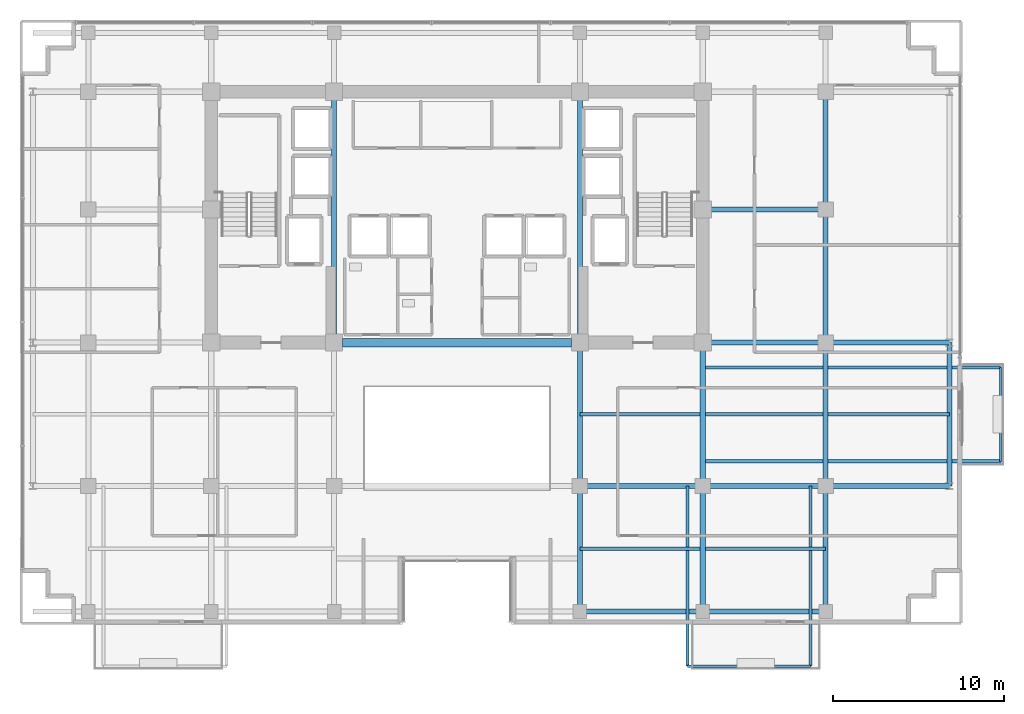
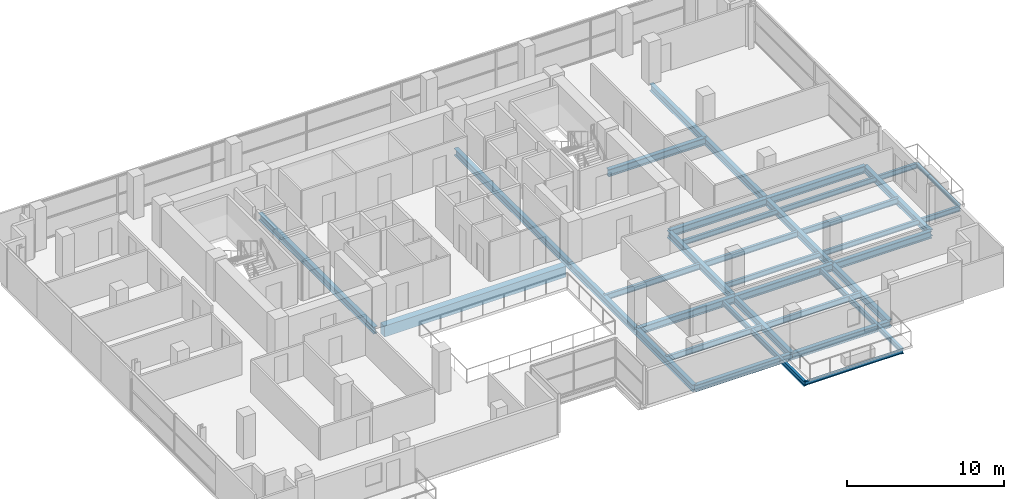
# One storey, part 10 of 24: 31 beams.
"""IFC4 building model written with IfcOpenShell, lengths in metres."""

from ifc_helpers import new_model, si_unit, direction, frame, origin, origin_2d, place, context, subcontext, project, spatial, rectangle, i_section, extrude, material, material_profile, profile_set, type_object, element, save


model = new_model("IFC4")

# Units and contexts
model_context = context("Model", 3, precision=1e-05, world=origin(), true_north=direction((0.0, 1.0)))
body_context = subcontext(model_context, "Body", "Model", "MODEL_VIEW")
ifc_project = project(units=[si_unit("LENGTHUNIT", "METRE"), si_unit("AREAUNIT", "SQUARE_METRE"), si_unit("VOLUMEUNIT", "CUBIC_METRE"), si_unit("PLANEANGLEUNIT", "RADIAN"), si_unit("MASSUNIT", "GRAM", prefix="KILO")], contexts=[model_context])

# Site, building, storey
site_placement = place(None, origin())
site = spatial("IfcSite", under=ifc_project, at=site_placement, CompositionType="ELEMENT")
building_placement = place(site_placement, origin())
building = spatial("IfcBuilding", under=site, at=building_placement, Name="Zarnakvel Exchange Tower", CompositionType="ELEMENT")
storey_placement = place(building_placement, frame((0.0, 0.0, 119.800048828125)))
storey = spatial("IfcBuildingStorey", under=building, at=storey_placement, Name="L33", CompositionType="ELEMENT", Elevation=119.800048828125)

# Beams
ifc_material_1 = material(Name="Steel S355", Category="steel")
ifc_material_profile_1 = material_profile(ifc_material_1, i_section(OverallWidth=0.18994140625, OverallDepth=0.449951171875, WebThickness=0.009521484375, FlangeThickness=0.0146484375, FilletRadius=0.02099609375, at=origin_2d()))
ifc_profile_set_1 = profile_set([ifc_material_profile_1], Name="Steel S355")
beam_type_1 = type_object("IfcBeamType", Name="B-05", PredefinedType="JOIST", material=ifc_profile_set_1)
for number, where, z_axis, x_axis, name in (
    (1, (7.199951171875, -13.27490234375, -0.449951171875), (1.0, 0.0, 0.0), (0.0, 1.0, 0.0), "L33 Composite Floor Secondary Joist"),
    (2, (14.550048828125, -13.27490234375, -0.449951171875), (1.0, 0.0, 0.0), (0.0, 1.0, 0.0), "L33 Composite Floor Secondary Joist"),
    (3, (7.199951171875, -5.39990234375, -0.449951171875), (1.0, 0.0, 0.0), (0.0, 1.0, 0.0), "L33 Composite Floor Secondary Joist"),
):
    element("IfcBeam", number, at=place(storey_placement, frame(where, z_axis=z_axis, x_axis=x_axis)), inside=storey, type_object=beam_type_1, Name=name, PredefinedType="JOIST", context=body_context, shape_type="SweptSolid", body=[
        extrude(i_section(OverallWidth=0.18994140625, OverallDepth=0.449951171875, WebThickness=0.009521484375, FlangeThickness=0.0146484375, FilletRadius=0.02099609375, at=origin_2d()), origin(), (0.0, 0.0, 1.0), 7.050048828125),
    ])
beam_1_placement = place(storey_placement, frame((14.550048828125, -5.39990234375, -0.449951171875), z_axis=(1.0, 0.0, 0.0), x_axis=(0.0, 1.0, 0.0)))
element("IfcBeam", 4, at=beam_1_placement, inside=storey, type_object=beam_type_1, Name="L33 Composite Floor Secondary Joist", PredefinedType="JOIST", context=body_context, shape_type="SweptSolid", body=[
    extrude(i_section(OverallWidth=0.18994140625, OverallDepth=0.449951171875, WebThickness=0.009521484375, FlangeThickness=0.0146484375, FilletRadius=0.02099609375, at=origin_2d()), origin(), (0.0, 0.0, 1.0), 6.89990234375),
])
beam_2_placement = place(storey_placement, frame((21.75, -5.39990234375, -0.449951171875), z_axis=(1.0, 0.0, 0.0), x_axis=(0.0, 1.0, 0.0)))
element("IfcBeam", 5, at=beam_2_placement, inside=storey, type_object=beam_type_1, Name="L33 Composite Floor Secondary Joist", PredefinedType="JOIST", context=body_context, shape_type="SweptSolid", body=[
    extrude(i_section(OverallWidth=0.18994140625, OverallDepth=0.449951171875, WebThickness=0.009521484375, FlangeThickness=0.0146484375, FilletRadius=0.02099609375, at=origin_2d()), origin(), (0.0, 0.0, 1.0), 7.10009765625),
])
ifc_material_profile_2 = material_profile(ifc_material_1, i_section(OverallWidth=0.179931640625, OverallDepth=0.39990234375, WebThickness=0.008544921875, FlangeThickness=0.013427734375, FilletRadius=0.02099609375, at=origin_2d()))
ifc_profile_set_2 = profile_set([ifc_material_profile_2], Name="Steel S355")
beam_type_2 = type_object("IfcBeamType", Name="B-06", PredefinedType="JOIST", material=ifc_profile_set_2)
for number, where, z_axis, x_axis, name in (
    (6, (13.5, -9.60009765625, -0.425048828125), (0.0, -1.0, 0.0), (1.0, 0.0, 0.0), "L33 Continuous Back-Spanned Balcony Beam W"),
    (7, (20.699951171875, -9.60009765625, -0.425048828125), (0.0, -1.0, 0.0), (1.0, 0.0, 0.0), "L33 Continuous Back-Spanned Balcony Beam E"),
):
    element("IfcBeam", number, at=place(storey_placement, frame(where, z_axis=z_axis, x_axis=x_axis)), inside=storey, type_object=beam_type_2, Name=name, PredefinedType="JOIST", context=body_context, shape_type="SweptSolid", body=[
        extrude(i_section(OverallWidth=0.179931640625, OverallDepth=0.39990234375, WebThickness=0.008544921875, FlangeThickness=0.013427734375, FilletRadius=0.02099609375, at=origin_2d()), origin(), (0.0, 0.0, 1.0), 10.5498046875),
    ])
for number, where, z_axis, x_axis, name in (
    (8, (14.39990234375, -8.14990234375, -0.425048828125), (1.0, 0.0, 0.0), (0.0, 1.0, 0.0), "L33 Continuous East Loggia Beam S"),
    (9, (14.39990234375, -2.64990234375, -0.425048828125), (1.0, 0.0, 0.0), (0.0, 1.0, 0.0), "L33 Continuous East Loggia Beam N"),
):
    element("IfcBeam", number, at=place(storey_placement, frame(where, z_axis=z_axis, x_axis=x_axis)), inside=storey, type_object=beam_type_2, Name=name, PredefinedType="JOIST", context=body_context, shape_type="SweptSolid", body=[
        extrude(i_section(OverallWidth=0.179931640625, OverallDepth=0.39990234375, WebThickness=0.008544921875, FlangeThickness=0.013427734375, FilletRadius=0.02099609375, at=origin_2d()), origin(), (0.0, 0.0, 1.0), 17.4501953125),
    ])
ifc_material_profile_3 = material_profile(ifc_material_1, i_section(OverallWidth=0.14990234375, OverallDepth=0.300048828125, WebThickness=0.007080078125, FlangeThickness=0.0107421875, FilletRadius=0.014892578125, at=origin_2d()))
ifc_profile_set_3 = profile_set([ifc_material_profile_3], Name="Steel S355")
beam_type_3 = type_object("IfcBeamType", Name="B-08", PredefinedType="JOIST", material=ifc_profile_set_3)
beam_3_placement = place(storey_placement, frame((13.5, -20.14990234375, -0.375), z_axis=(1.0, 0.0, 0.0), x_axis=(0.0, 1.0, 0.0)))
element("IfcBeam", 10, at=beam_3_placement, inside=storey, type_object=beam_type_3, Name="L33 Balcony Edge Beam", PredefinedType="JOIST", context=body_context, shape_type="SweptSolid", body=[
    extrude(i_section(OverallWidth=0.14990234375, OverallDepth=0.300048828125, WebThickness=0.007080078125, FlangeThickness=0.0107421875, FilletRadius=0.014892578125, at=origin_2d()), origin(), (0.0, 0.0, 1.0), 7.199951171875),
])
beam_4_placement = place(storey_placement, frame((31.85009765625, -8.14990234375, -0.375), z_axis=(0.0, 1.0, 0.0), x_axis=(-1.0, 0.0, 0.0)))
element("IfcBeam", 11, at=beam_4_placement, inside=storey, type_object=beam_type_3, Name="L33 East Loggia Edge Beam", PredefinedType="JOIST", context=body_context, shape_type="SweptSolid", body=[
    extrude(i_section(OverallWidth=0.14990234375, OverallDepth=0.300048828125, WebThickness=0.007080078125, FlangeThickness=0.0107421875, FilletRadius=0.014892578125, at=origin_2d()), origin(), (0.0, 0.0, 1.0), 5.5),
])
ifc_material_2 = material(Name="Concrete C60/75", Category="concrete")
ifc_material_profile_4 = material_profile(ifc_material_2, rectangle(XDim=0.5, YDim=0.85009765625, at=origin_2d()))
ifc_profile_set_4 = profile_set([ifc_material_profile_4], Name="Concrete C60/75")
beam_type_4 = type_object("IfcBeamType", Name="CB-02", PredefinedType="LINTEL", material=ifc_profile_set_4)
beam_5_placement = place(storey_placement, frame((-6.699951171875, -1.199951171875, -0.650146484375), z_axis=(1.0, 0.0, 0.0), x_axis=(0.0, 1.0, 0.0)))
element("IfcBeam", 12, at=beam_5_placement, inside=storey, type_object=beam_type_4, Name="L33 Rear Core South Coupling Beam (CB-02)", PredefinedType="LINTEL", context=body_context, shape_type="SweptSolid", body=[
    extrude(rectangle(XDim=0.5, YDim=0.85009765625, at=origin_2d()), origin(), (0.0, 0.0, 1.0), 13.39990234375),
])
ifc_material_profile_5 = material_profile(ifc_material_1, i_section(OverallWidth=0.300048828125, OverallDepth=0.550048828125, WebThickness=0.014892578125, FlangeThickness=0.029052734375, FilletRadius=0.027099609375, at=origin_2d()))
ifc_profile_set_5 = profile_set([ifc_material_profile_5], Name="Steel S355")
beam_type_5 = type_object("IfcBeamType", Name="G-05", PredefinedType="BEAM", material=ifc_profile_set_5)
beam_6_placement = place(storey_placement, frame((7.199951171875, -9.60009765625, -0.5), z_axis=(1.0, 0.0, 0.0), x_axis=(0.0, 1.0, 0.0)))
element("IfcBeam", 13, at=beam_6_placement, inside=storey, type_object=beam_type_5, Name="L33 Tower E-W Frame Beam", PredefinedType="BEAM", context=body_context, shape_type="SweptSolid", body=[
    extrude(i_section(OverallWidth=0.300048828125, OverallDepth=0.550048828125, WebThickness=0.014892578125, FlangeThickness=0.029052734375, FilletRadius=0.027099609375, at=origin_2d()), origin(), (0.0, 0.0, 1.0), 7.199951171875),
])
beam_7_placement = place(storey_placement, frame((14.39990234375, -9.60009765625, -0.5), z_axis=(1.0, 0.0, 0.0), x_axis=(0.0, 1.0, 0.0)))
element("IfcBeam", 14, at=beam_7_placement, inside=storey, type_object=beam_type_5, Name="L33 Tower E-W Frame Beam", PredefinedType="BEAM", context=body_context, shape_type="SweptSolid", body=[
    extrude(i_section(OverallWidth=0.300048828125, OverallDepth=0.550048828125, WebThickness=0.014892578125, FlangeThickness=0.029052734375, FilletRadius=0.027099609375, at=origin_2d()), origin(), (0.0, 0.0, 1.0), 7.2001953125),
])
beam_8_placement = place(storey_placement, frame((21.60009765625, -9.60009765625, -0.5), z_axis=(1.0, 0.0, 0.0), x_axis=(0.0, 1.0, 0.0)))
element("IfcBeam", 15, at=beam_8_placement, inside=storey, type_object=beam_type_5, Name="L33 Tower E-W Frame Beam", PredefinedType="BEAM", context=body_context, shape_type="SweptSolid", body=[
    extrude(i_section(OverallWidth=0.300048828125, OverallDepth=0.550048828125, WebThickness=0.014892578125, FlangeThickness=0.029052734375, FilletRadius=0.027099609375, at=origin_2d()), origin(), (0.0, 0.0, 1.0), 7.25),
])
beam_9_placement = place(storey_placement, frame((14.39990234375, -1.199951171875, -0.5), z_axis=(1.0, 0.0, 0.0), x_axis=(0.0, 1.0, 0.0)))
element("IfcBeam", 16, at=beam_9_placement, inside=storey, type_object=beam_type_5, Name="L33 Tower E-W Frame Beam", PredefinedType="BEAM", context=body_context, shape_type="SweptSolid", body=[
    extrude(i_section(OverallWidth=0.300048828125, OverallDepth=0.550048828125, WebThickness=0.014892578125, FlangeThickness=0.029052734375, FilletRadius=0.027099609375, at=origin_2d()), origin(), (0.0, 0.0, 1.0), 7.2001953125),
])
beam_10_placement = place(storey_placement, frame((21.60009765625, -1.199951171875, -0.5), z_axis=(1.0, 0.0, 0.0), x_axis=(0.0, 1.0, 0.0)))
element("IfcBeam", 17, at=beam_10_placement, inside=storey, type_object=beam_type_5, Name="L33 Tower E-W Frame Beam", PredefinedType="BEAM", context=body_context, shape_type="SweptSolid", body=[
    extrude(i_section(OverallWidth=0.300048828125, OverallDepth=0.550048828125, WebThickness=0.014892578125, FlangeThickness=0.029052734375, FilletRadius=0.027099609375, at=origin_2d()), origin(), (0.0, 0.0, 1.0), 7.25),
])
beam_11_placement = place(storey_placement, frame((14.39990234375, 6.60009765625, -0.5), z_axis=(1.0, 0.0, 0.0), x_axis=(0.0, 1.0, 0.0)))
element("IfcBeam", 18, at=beam_11_placement, inside=storey, type_object=beam_type_5, Name="L33 Tower E-W Frame Beam", PredefinedType="BEAM", context=body_context, shape_type="SweptSolid", body=[
    extrude(i_section(OverallWidth=0.300048828125, OverallDepth=0.550048828125, WebThickness=0.014892578125, FlangeThickness=0.029052734375, FilletRadius=0.027099609375, at=origin_2d()), origin(), (0.0, 0.0, 1.0), 7.2001953125),
])
beam_12_placement = place(storey_placement, frame((-7.199951171875, -1.199951171875, -0.5), z_axis=(0.0, 1.0, 0.0), x_axis=(-1.0, 0.0, 0.0)))
element("IfcBeam", 19, at=beam_12_placement, inside=storey, type_object=beam_type_5, Name="L33 Tower N-S Frame Beam", PredefinedType="BEAM", context=body_context, shape_type="SweptSolid", body=[
    extrude(i_section(OverallWidth=0.300048828125, OverallDepth=0.550048828125, WebThickness=0.014892578125, FlangeThickness=0.029052734375, FilletRadius=0.027099609375, at=origin_2d()), origin(), (0.0, 0.0, 1.0), 14.699951171875),
])
beam_13_placement = place(storey_placement, frame((7.199951171875, -16.949951171875, -0.5), z_axis=(0.0, 1.0, 0.0), x_axis=(-1.0, 0.0, 0.0)))
element("IfcBeam", 20, at=beam_13_placement, inside=storey, type_object=beam_type_5, Name="L33 Tower N-S Frame Beam", PredefinedType="BEAM", context=body_context, shape_type="SweptSolid", body=[
    extrude(i_section(OverallWidth=0.300048828125, OverallDepth=0.550048828125, WebThickness=0.014892578125, FlangeThickness=0.029052734375, FilletRadius=0.027099609375, at=origin_2d()), origin(), (0.0, 0.0, 1.0), 7.349853515625),
])
beam_14_placement = place(storey_placement, frame((7.199951171875, -9.60009765625, -0.5), z_axis=(0.0, 1.0, 0.0), x_axis=(-1.0, 0.0, 0.0)))
element("IfcBeam", 21, at=beam_14_placement, inside=storey, type_object=beam_type_5, Name="L33 Tower N-S Frame Beam", PredefinedType="BEAM", context=body_context, shape_type="SweptSolid", body=[
    extrude(i_section(OverallWidth=0.300048828125, OverallDepth=0.550048828125, WebThickness=0.014892578125, FlangeThickness=0.029052734375, FilletRadius=0.027099609375, at=origin_2d()), origin(), (0.0, 0.0, 1.0), 8.400146484375),
])
beam_15_placement = place(storey_placement, frame((7.199951171875, -1.199951171875, -0.5), z_axis=(0.0, 1.0, 0.0), x_axis=(-1.0, 0.0, 0.0)))
element("IfcBeam", 22, at=beam_15_placement, inside=storey, type_object=beam_type_5, Name="L33 Tower N-S Frame Beam", PredefinedType="BEAM", context=body_context, shape_type="SweptSolid", body=[
    extrude(i_section(OverallWidth=0.300048828125, OverallDepth=0.550048828125, WebThickness=0.014892578125, FlangeThickness=0.029052734375, FilletRadius=0.027099609375, at=origin_2d()), origin(), (0.0, 0.0, 1.0), 14.699951171875),
])
beam_16_placement = place(storey_placement, frame((14.39990234375, -16.949951171875, -0.5), z_axis=(0.0, 1.0, 0.0), x_axis=(-1.0, 0.0, 0.0)))
element("IfcBeam", 23, at=beam_16_placement, inside=storey, type_object=beam_type_5, Name="L33 Tower N-S Frame Beam", PredefinedType="BEAM", context=body_context, shape_type="SweptSolid", body=[
    extrude(i_section(OverallWidth=0.300048828125, OverallDepth=0.550048828125, WebThickness=0.014892578125, FlangeThickness=0.029052734375, FilletRadius=0.027099609375, at=origin_2d()), origin(), (0.0, 0.0, 1.0), 7.349853515625),
])
beam_17_placement = place(storey_placement, frame((14.39990234375, -9.60009765625, -0.5), z_axis=(0.0, 1.0, 0.0), x_axis=(-1.0, 0.0, 0.0)))
element("IfcBeam", 24, at=beam_17_placement, inside=storey, type_object=beam_type_5, Name="L33 Tower N-S Frame Beam", PredefinedType="BEAM", context=body_context, shape_type="SweptSolid", body=[
    extrude(i_section(OverallWidth=0.300048828125, OverallDepth=0.550048828125, WebThickness=0.014892578125, FlangeThickness=0.029052734375, FilletRadius=0.027099609375, at=origin_2d()), origin(), (0.0, 0.0, 1.0), 8.400146484375),
])
beam_18_placement = place(storey_placement, frame((21.60009765625, -16.949951171875, -0.5), z_axis=(0.0, 1.0, 0.0), x_axis=(-1.0, 0.0, 0.0)))
element("IfcBeam", 25, at=beam_18_placement, inside=storey, type_object=beam_type_5, Name="L33 Tower N-S Frame Beam", PredefinedType="BEAM", context=body_context, shape_type="SweptSolid", body=[
    extrude(i_section(OverallWidth=0.300048828125, OverallDepth=0.550048828125, WebThickness=0.014892578125, FlangeThickness=0.029052734375, FilletRadius=0.027099609375, at=origin_2d()), origin(), (0.0, 0.0, 1.0), 7.349853515625),
])
beam_19_placement = place(storey_placement, frame((21.60009765625, -9.60009765625, -0.5), z_axis=(0.0, 1.0, 0.0), x_axis=(-1.0, 0.0, 0.0)))
element("IfcBeam", 26, at=beam_19_placement, inside=storey, type_object=beam_type_5, Name="L33 Tower N-S Frame Beam", PredefinedType="BEAM", context=body_context, shape_type="SweptSolid", body=[
    extrude(i_section(OverallWidth=0.300048828125, OverallDepth=0.550048828125, WebThickness=0.014892578125, FlangeThickness=0.029052734375, FilletRadius=0.027099609375, at=origin_2d()), origin(), (0.0, 0.0, 1.0), 8.400146484375),
])
beam_20_placement = place(storey_placement, frame((21.60009765625, -1.199951171875, -0.5), z_axis=(0.0, 1.0, 0.0), x_axis=(-1.0, 0.0, 0.0)))
element("IfcBeam", 27, at=beam_20_placement, inside=storey, type_object=beam_type_5, Name="L33 Tower N-S Frame Beam", PredefinedType="BEAM", context=body_context, shape_type="SweptSolid", body=[
    extrude(i_section(OverallWidth=0.300048828125, OverallDepth=0.550048828125, WebThickness=0.014892578125, FlangeThickness=0.029052734375, FilletRadius=0.027099609375, at=origin_2d()), origin(), (0.0, 0.0, 1.0), 7.800048828125),
])
beam_21_placement = place(storey_placement, frame((21.60009765625, 6.60009765625, -0.5), z_axis=(0.0, 1.0, 0.0), x_axis=(-1.0, 0.0, 0.0)))
element("IfcBeam", 28, at=beam_21_placement, inside=storey, type_object=beam_type_5, Name="L33 Tower N-S Frame Beam", PredefinedType="BEAM", context=body_context, shape_type="SweptSolid", body=[
    extrude(i_section(OverallWidth=0.300048828125, OverallDepth=0.550048828125, WebThickness=0.014892578125, FlangeThickness=0.029052734375, FilletRadius=0.027099609375, at=origin_2d()), origin(), (0.0, 0.0, 1.0), 6.89990234375),
])
ifc_material_profile_6 = material_profile(ifc_material_1, i_section(OverallWidth=0.300048828125, OverallDepth=0.5, WebThickness=0.014404296875, FlangeThickness=0.028076171875, FilletRadius=0.027099609375, at=origin_2d()))
ifc_profile_set_6 = profile_set([ifc_material_profile_6], Name="Steel S355")
beam_type_6 = type_object("IfcBeamType", Name="SP-02", PredefinedType="SPANDREL", material=ifc_profile_set_6)
beam_22_placement = place(storey_placement, frame((7.199951171875, -16.949951171875, -0.47509765625), z_axis=(1.0, 0.0, 0.0), x_axis=(0.0, 1.0, 0.0)))
element("IfcBeam", 29, at=beam_22_placement, inside=storey, type_object=beam_type_6, Name="L33 Tower E-W Frame Beam", PredefinedType="SPANDREL", context=body_context, shape_type="SweptSolid", body=[
    extrude(i_section(OverallWidth=0.300048828125, OverallDepth=0.5, WebThickness=0.014404296875, FlangeThickness=0.028076171875, FilletRadius=0.027099609375, at=origin_2d()), origin(), (0.0, 0.0, 1.0), 7.199951171875),
])
beam_23_placement = place(storey_placement, frame((14.39990234375, -16.949951171875, -0.47509765625), z_axis=(1.0, 0.0, 0.0), x_axis=(0.0, 1.0, 0.0)))
element("IfcBeam", 30, at=beam_23_placement, inside=storey, type_object=beam_type_6, Name="L33 Tower E-W Frame Beam", PredefinedType="SPANDREL", context=body_context, shape_type="SweptSolid", body=[
    extrude(i_section(OverallWidth=0.300048828125, OverallDepth=0.5, WebThickness=0.014404296875, FlangeThickness=0.028076171875, FilletRadius=0.027099609375, at=origin_2d()), origin(), (0.0, 0.0, 1.0), 7.2001953125),
])
beam_24_placement = place(storey_placement, frame((28.85009765625, -9.60009765625, -0.47509765625), z_axis=(0.0, 1.0, 0.0), x_axis=(-1.0, 0.0, 0.0)))
element("IfcBeam", 31, at=beam_24_placement, inside=storey, type_object=beam_type_6, Name="L33 Tower N-S Frame Beam", PredefinedType="SPANDREL", context=body_context, shape_type="SweptSolid", body=[
    extrude(i_section(OverallWidth=0.300048828125, OverallDepth=0.5, WebThickness=0.014404296875, FlangeThickness=0.028076171875, FilletRadius=0.027099609375, at=origin_2d()), origin(), (0.0, 0.0, 1.0), 8.400146484375),
])

save(model, "model.ifc")
